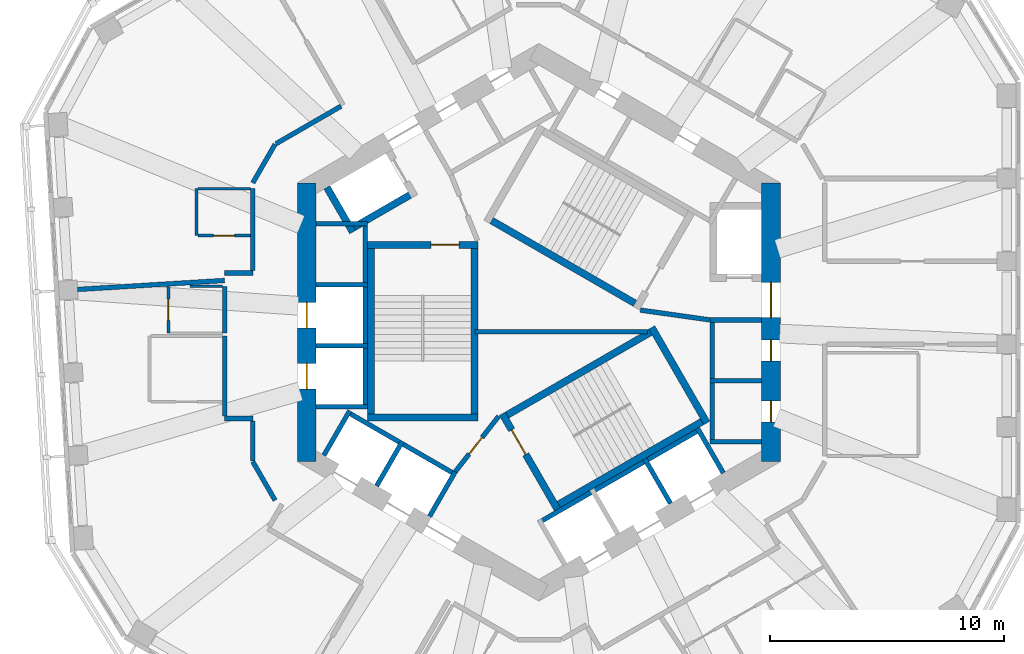
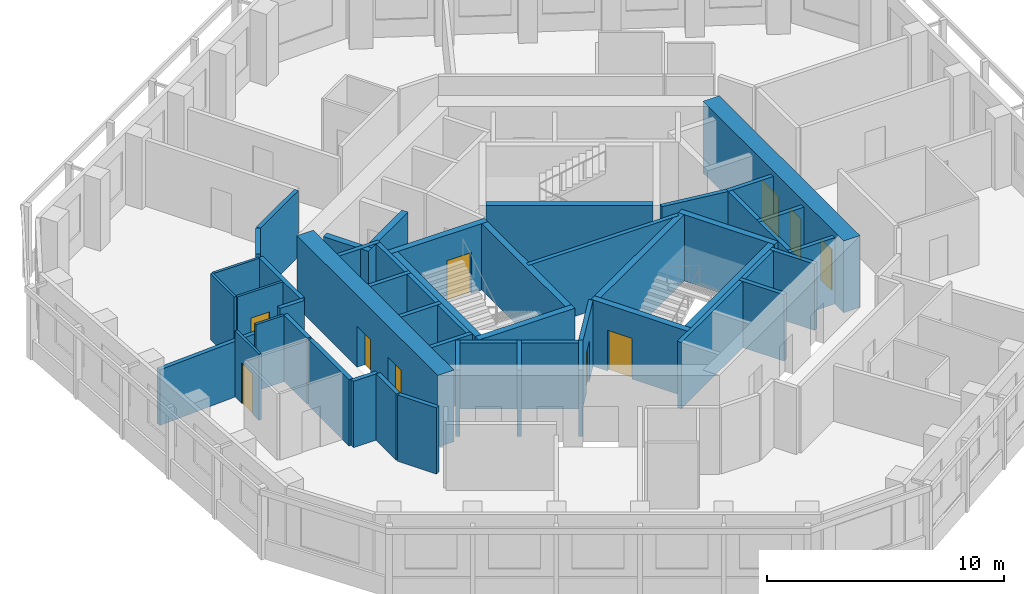
# One storey, part 5 of 11: 47 walls, 10 doors, 10 openings.
"""IFC4 building model written with IfcOpenShell, lengths in metres."""

from ifc_helpers import new_model, si_unit, direction, frame, frame_2d, origin, place, context, subcontext, project, spatial, rectangle, extrude, material, layer, layer_set, type_object, element, fill, save


model = new_model("IFC4")

# Units and contexts
model_context = context("Model", 3, precision=1e-05, world=origin(), true_north=direction((0.0, 1.0)))
body_context = subcontext(model_context, "Body", "Model", "MODEL_VIEW")
ifc_project = project(units=[si_unit("LENGTHUNIT", "METRE"), si_unit("AREAUNIT", "SQUARE_METRE"), si_unit("VOLUMEUNIT", "CUBIC_METRE"), si_unit("PLANEANGLEUNIT", "RADIAN"), si_unit("MASSUNIT", "GRAM", prefix="KILO")], contexts=[model_context])

# Site, building, storey
site_placement = place(None, origin())
site = spatial("IfcSite", under=ifc_project, at=site_placement, CompositionType="ELEMENT")
building_placement = place(site_placement, origin())
building = spatial("IfcBuilding", under=site, at=building_placement, Name="Vanh Sen Convention Tower", CompositionType="ELEMENT")
storey_placement = place(building_placement, frame((0.0, 0.0, 243.89990234375)))
storey = spatial("IfcBuildingStorey", under=building, at=storey_placement, Name="L60", CompositionType="ELEMENT", Elevation=243.89990234375)

# Wall, opening, door
ifc_material_1 = material(Name="Moisture-resistant gypsum board on steel studs", Category="steel")
ifc_layer_1 = layer(ifc_material_1, 0.1201171875)
ifc_layer_set_1 = layer_set([ifc_layer_1], Name="Moisture-resistant gypsum board on steel studs")
wall_type_1 = type_object("IfcWallType", Name="Bathroom partition 120", PredefinedType="PARTITIONING", material=ifc_layer_set_1)
wall_1_placement = place(storey_placement, frame((-15.801025390625, -0.466796875, 0.0), z_axis=(0.0, 0.0, 1.0), x_axis=(0.0, 1.0, 0.0)))
wall_1 = element("IfcWall", 1, at=wall_1_placement, inside=storey, type_object=wall_type_1, Name="Bathroom partition 120", PredefinedType="PARTITIONING", context=body_context, shape_type="SweptSolid", body=[
    extrude(rectangle(XDim=2.0, YDim=0.1201171875, at=frame_2d((1.0, 0.0))), origin(), (0.0, 0.0, 1.0), 3.420166015625),
])
opening_1_placement = place(wall_1_placement, frame((0.550048828125, 0.0, 0.0)))
opening_1 = element("IfcOpeningElement", 2, at=opening_1_placement, cuts=wall_1, Name="Opening D59110", PredefinedType="OPENING", context=body_context, shape_type="SweptSolid", body=[
    extrude(rectangle(XDim=0.89990234375, YDim=2.10009765625, at=frame_2d((0.449951171875, 1.050048828125))), frame((0.0, 0.070068359375, 0.0), z_axis=(0.0, -1.0, 0.0), x_axis=(1.0, 0.0, 0.0)), (0.0, 0.0, 1.0), 0.14013671875),
])
ifc_material_2 = material(Name="Laminate door in steel frame", Category="steel")
door_type_1 = type_object("IfcDoorType", Name="Room internal door 900", OperationType="SINGLE_SWING_LEFT", PredefinedType="DOOR", material=ifc_material_2)
door_1_placement = place(opening_1_placement, origin())
door_1 = element("IfcDoor", 3, at=door_1_placement, inside=storey, type_object=door_type_1, Name="Internal room door D59110", OperationType="SINGLE_SWING_LEFT", OverallHeight=2.10009765625, OverallWidth=0.89990234375, PredefinedType="DOOR", context=body_context, shape_type="SweptSolid", body=[
    extrude(rectangle(XDim=0.89990234375, YDim=2.10009765625, at=frame_2d((0.449951171875, 1.050048828125))), frame((0.0, 0.02490234375, 0.0), z_axis=(0.0, -1.0, 0.0), x_axis=(1.0, 0.0, 0.0)), (0.0, 0.0, 1.0), 0.050048828125),
])
fill(opening_1, door_1)

# Walls
wall_2_placement = place(storey_placement, frame((-14.869384765625, 1.533203125, 0.0), z_axis=(0.0, 0.0, 1.0), x_axis=(1.0, 0.0, 0.0)))
element("IfcWall", 4, at=wall_2_placement, inside=storey, type_object=wall_type_1, Name="Bathroom partition 120", PredefinedType="PARTITIONING", context=body_context, shape_type="SweptSolid", body=[
    extrude(rectangle(XDim=1.368408203125, YDim=0.1201171875, at=frame_2d((0.68408203125, 0.0))), origin(), (0.0, 0.0, 1.0), 3.420166015625),
])
wall_3_placement = place(storey_placement, frame((-14.60009765625, 3.69677734375, 0.0), z_axis=(0.0, 0.0, 1.0), x_axis=(0.0, 1.0, 0.0)))
element("IfcWall", 5, at=wall_3_placement, inside=storey, type_object=wall_type_1, Name="Bathroom partition 120", PredefinedType="PARTITIONING", context=body_context, shape_type="SweptSolid", body=[
    extrude(rectangle(XDim=2.0, YDim=0.1201171875, at=frame_2d((1.0, 0.0))), origin(), (0.0, 0.0, 1.0), 3.420166015625),
])
wall_4_placement = place(storey_placement, frame((-14.5400390625, 5.69677734375, 0.0), z_axis=(0.0, 0.0, 1.0), x_axis=(1.0, 0.0, 0.0)))
element("IfcWall", 6, at=wall_4_placement, inside=storey, type_object=wall_type_1, Name="Bathroom partition 120", PredefinedType="PARTITIONING", context=body_context, shape_type="SweptSolid", body=[
    extrude(rectangle(XDim=2.239990234375, YDim=0.1201171875, at=frame_2d((1.1201171875, 0.0))), origin(), (0.0, 0.0, 1.0), 3.420166015625),
])

# Wall, opening, door
wall_5_placement = place(storey_placement, frame((-12.300048828125, 3.69677734375, 0.0), z_axis=(0.0, 0.0, 1.0), x_axis=(-1.0, 0.0, 0.0)))
wall_5 = element("IfcWall", 7, at=wall_5_placement, inside=storey, type_object=wall_type_1, Name="Bathroom partition 120", PredefinedType="PARTITIONING", context=body_context, shape_type="SweptSolid", body=[
    extrude(rectangle(XDim=2.239990234375, YDim=0.1201171875, at=frame_2d((1.1201171875, 0.0))), origin(), (0.0, 0.0, 1.0), 3.420166015625),
])
opening_2_placement = place(wall_5_placement, frame((0.669921875, 0.0, 0.0)))
opening_2 = element("IfcOpeningElement", 8, at=opening_2_placement, cuts=wall_5, Name="Opening D59108", PredefinedType="OPENING", context=body_context, shape_type="SweptSolid", body=[
    extrude(rectangle(XDim=0.89990234375, YDim=2.10009765625, at=frame_2d((0.449951171875, 1.050048828125))), frame((0.0, 0.070068359375, 0.0), z_axis=(0.0, -1.0, 0.0), x_axis=(1.0, 0.0, 0.0)), (0.0, 0.0, 1.0), 0.14013671875),
])
door_2_placement = place(opening_2_placement, origin())
door_2 = element("IfcDoor", 9, at=door_2_placement, inside=storey, type_object=door_type_1, Name="Internal room door D59108", OperationType="SINGLE_SWING_LEFT", OverallHeight=2.10009765625, OverallWidth=0.89990234375, PredefinedType="DOOR", context=body_context, shape_type="SweptSolid", body=[
    extrude(rectangle(XDim=0.89990234375, YDim=2.10009765625, at=frame_2d((0.449951171875, 1.050048828125))), frame((0.0, 0.02490234375, 0.0), z_axis=(0.0, -1.0, 0.0), x_axis=(1.0, 0.0, 0.0)), (0.0, 0.0, 1.0), 0.050048828125),
])
fill(opening_2, door_2)

# Wall, openings, doors
ifc_material_3 = material(Name="Concrete C60/75", Category="concrete")
ifc_layer_2 = layer(ifc_material_3, 0.800048828125)
ifc_layer_set_2 = layer_set([ifc_layer_2], Name="Concrete C60/75")
wall_type_2 = type_object("IfcWallType", Name="Core outer wall 800 C60/75", PredefinedType="SHEAR", material=ifc_layer_set_2)
wall_6_placement = place(storey_placement, frame((9.89990234375, -5.94677734375, 0.0), z_axis=(0.0, 0.0, 1.0), x_axis=(0.0, 1.0, 0.0)))
wall_6 = element("IfcWall", 10, at=wall_6_placement, inside=storey, type_object=wall_type_2, Name="Core wall face E L60", PredefinedType="SHEAR", context=body_context, shape_type="SweptSolid", body=[
    extrude(rectangle(XDim=11.8935546875, YDim=0.800048828125, at=frame_2d((5.94677734375, 0.0))), origin(), (0.0, 0.0, 1.0), 3.7001953125),
])
opening_3_placement = place(wall_6_placement, frame((6.146728515625, 0.0, 0.0)))
opening_3 = element("IfcOpeningElement", 11, at=opening_3_placement, cuts=wall_6, Name="Opening D59001", PredefinedType="OPENING", context=body_context, shape_type="SweptSolid", body=[
    extrude(rectangle(XDim=1.5, YDim=2.10009765625, at=frame_2d((0.75, 1.050048828125))), frame((0.0, 0.409912109375, 0.0), z_axis=(0.0, -1.0, 0.0), x_axis=(1.0, 0.0, 0.0)), (0.0, 0.0, 1.0), 0.820068359375),
])
opening_4_placement = place(wall_6_placement, frame((1.69677734375, 0.0, 0.0)))
opening_4 = element("IfcOpeningElement", 12, at=opening_4_placement, cuts=wall_6, Name="Opening D59009", PredefinedType="OPENING", context=body_context, shape_type="SweptSolid", body=[
    extrude(rectangle(XDim=0.89990234375, YDim=2.10009765625, at=frame_2d((0.449951171875, 1.050048828125))), frame((0.0, 0.409912109375, 0.0), z_axis=(0.0, -1.0, 0.0), x_axis=(1.0, 0.0, 0.0)), (0.0, 0.0, 1.0), 0.820068359375),
])
opening_5_placement = place(wall_6_placement, frame((4.296630859375, 0.0, 0.0)))
opening_5 = element("IfcOpeningElement", 13, at=opening_5_placement, cuts=wall_6, Name="Opening D59010", PredefinedType="OPENING", context=body_context, shape_type="SweptSolid", body=[
    extrude(rectangle(XDim=0.89990234375, YDim=2.10009765625, at=frame_2d((0.449951171875, 1.050048828125))), frame((0.0, 0.409912109375, 0.0), z_axis=(0.0, -1.0, 0.0), x_axis=(1.0, 0.0, 0.0)), (0.0, 0.0, 1.0), 0.820068359375),
])
ifc_material_4 = material(Name="Steel S355", Category="steel")
door_type_2 = type_object("IfcDoorType", Name="Plant door 900", OperationType="SINGLE_SWING_LEFT", PredefinedType="DOOR", material=ifc_material_4)
door_3_placement = place(opening_4_placement, origin())
door_3 = element("IfcDoor", 14, at=door_3_placement, inside=storey, type_object=door_type_2, Name="Plant door D59009", OperationType="SINGLE_SWING_LEFT", OverallHeight=2.10009765625, OverallWidth=0.89990234375, PredefinedType="DOOR", context=body_context, shape_type="SweptSolid", body=[
    extrude(rectangle(XDim=0.89990234375, YDim=2.10009765625, at=frame_2d((0.449951171875, 1.050048828125))), frame((0.0, 0.02490234375, 0.0), z_axis=(0.0, -1.0, 0.0), x_axis=(1.0, 0.0, 0.0)), (0.0, 0.0, 1.0), 0.050048828125),
])
fill(opening_4, door_3)
door_4_placement = place(opening_5_placement, origin())
door_4 = element("IfcDoor", 15, at=door_4_placement, inside=storey, type_object=door_type_2, Name="Plant door D59010", OperationType="SINGLE_SWING_LEFT", OverallHeight=2.10009765625, OverallWidth=0.89990234375, PredefinedType="DOOR", context=body_context, shape_type="SweptSolid", body=[
    extrude(rectangle(XDim=0.89990234375, YDim=2.10009765625, at=frame_2d((0.449951171875, 1.050048828125))), frame((0.0, 0.02490234375, 0.0), z_axis=(0.0, -1.0, 0.0), x_axis=(1.0, 0.0, 0.0)), (0.0, 0.0, 1.0), 0.050048828125),
])
fill(opening_5, door_4)
door_type_3 = type_object("IfcDoorType", Name="Stair lobby door 1500", OperationType="DOUBLE_DOOR_SINGLE_SWING", PredefinedType="DOOR", material=ifc_material_4)
door_5_placement = place(opening_3_placement, origin())
door_5 = element("IfcDoor", 16, at=door_5_placement, inside=storey, type_object=door_type_3, Name="Stair lobby door D59001", OperationType="DOUBLE_DOOR_SINGLE_SWING", OverallHeight=2.10009765625, OverallWidth=1.5, PredefinedType="DOOR", context=body_context, shape_type="SweptSolid", body=[
    extrude(rectangle(XDim=1.5, YDim=2.10009765625, at=frame_2d((0.75, 1.050048828125))), frame((0.0, 0.02490234375, 0.0), z_axis=(0.0, -1.0, 0.0), x_axis=(1.0, 0.0, 0.0)), (0.0, 0.0, 1.0), 0.050048828125),
])
fill(opening_3, door_5)

wall_7_placement = place(storey_placement, frame((-9.89990234375, 5.94677734375, 0.0), z_axis=(0.0, 0.0, 1.0), x_axis=(0.0, -1.0, 0.0)))
wall_7 = element("IfcWall", 17, at=wall_7_placement, inside=storey, type_object=wall_type_2, Name="Core wall face W L60", PredefinedType="SHEAR", context=body_context, shape_type="SweptSolid", body=[
    extrude(rectangle(XDim=11.8935546875, YDim=0.800048828125, at=frame_2d((5.94677734375, 0.0))), origin(), (0.0, 0.0, 1.0), 3.7001953125),
])
opening_6_placement = place(wall_7_placement, frame((5.0966796875, 0.0, 0.0)))
opening_6 = element("IfcOpeningElement", 18, at=opening_6_placement, cuts=wall_7, Name="Opening LD-HR1", PredefinedType="OPENING", context=body_context, shape_type="SweptSolid", body=[
    extrude(rectangle(XDim=1.10009765625, YDim=2.10009765625, at=frame_2d((0.550048828125, 1.050048828125))), frame((0.0, 0.409912109375, 0.0), z_axis=(0.0, -1.0, 0.0), x_axis=(1.0, 0.0, 0.0)), (0.0, 0.0, 1.0), 0.820068359375),
])
opening_7_placement = place(wall_7_placement, frame((7.69677734375, 0.0, 0.0)))
opening_7 = element("IfcOpeningElement", 19, at=opening_7_placement, cuts=wall_7, Name="Opening LD-HR2", PredefinedType="OPENING", context=body_context, shape_type="SweptSolid", body=[
    extrude(rectangle(XDim=1.10009765625, YDim=2.10009765625, at=frame_2d((0.550048828125, 1.050048828125))), frame((0.0, 0.409912109375, 0.0), z_axis=(0.0, -1.0, 0.0), x_axis=(1.0, 0.0, 0.0)), (0.0, 0.0, 1.0), 0.820068359375),
])
ifc_material_5 = material(Name="Stainless steel", Category="steel")
door_type_4 = type_object("IfcDoorType", Name="Lift landing door 1100", OperationType="DOUBLE_DOOR_SLIDING", PredefinedType="DOOR", material=ifc_material_5)
door_6_placement = place(opening_6_placement, origin())
door_6 = element("IfcDoor", 20, at=door_6_placement, inside=storey, type_object=door_type_4, Name="Lift HR1 landing door LD-HR1", OperationType="DOUBLE_DOOR_SLIDING", OverallHeight=2.10009765625, OverallWidth=1.10009765625, PredefinedType="DOOR", context=body_context, shape_type="SweptSolid", body=[
    extrude(rectangle(XDim=1.10009765625, YDim=2.10009765625, at=frame_2d((0.550048828125, 1.050048828125))), frame((0.0, 0.02490234375, 0.0), z_axis=(0.0, -1.0, 0.0), x_axis=(1.0, 0.0, 0.0)), (0.0, 0.0, 1.0), 0.050048828125),
])
fill(opening_6, door_6)
door_7_placement = place(opening_7_placement, origin())
door_7 = element("IfcDoor", 21, at=door_7_placement, inside=storey, type_object=door_type_4, Name="Lift HR2 landing door LD-HR2", OperationType="DOUBLE_DOOR_SLIDING", OverallHeight=2.10009765625, OverallWidth=1.10009765625, PredefinedType="DOOR", context=body_context, shape_type="SweptSolid", body=[
    extrude(rectangle(XDim=1.10009765625, YDim=2.10009765625, at=frame_2d((0.550048828125, 1.050048828125))), frame((0.0, 0.02490234375, 0.0), z_axis=(0.0, -1.0, 0.0), x_axis=(1.0, 0.0, 0.0)), (0.0, 0.0, 1.0), 0.050048828125),
])
fill(opening_7, door_7)

# Walls
ifc_material_6 = material(Name="Masonry blockwork", Category="masonry")
ifc_layer_3 = layer(ifc_material_6, 0.199951171875)
ifc_layer_set_3 = layer_set([ifc_layer_3], Name="Masonry blockwork")
wall_type_3 = type_object("IfcWallType", Name="Core partition 200", PredefinedType="PARTITIONING", material=ifc_layer_set_3)
wall_8_placement = place(storey_placement, frame((-2.719970703125, -0.39990234375, 0.0), z_axis=(0.0, 0.0, 1.0), x_axis=(1.0, 0.0, 0.0)))
element("IfcWall", 22, at=wall_8_placement, inside=storey, type_object=wall_type_3, Name="Core partition L60", PredefinedType="PARTITIONING", context=body_context, shape_type="SweptSolid", body=[
    extrude(rectangle(XDim=7.34716796875, YDim=0.199951171875, at=frame_2d((3.673583984375, 0.0))), origin(), (0.0, 0.0, 1.0), 3.420166015625),
])
ifc_material_7 = material(Name="Gypsum board on steel studs with mineral wool", Category="steel")
ifc_layer_4 = layer(ifc_material_7, 0.199951171875)
ifc_layer_set_4 = layer_set([ifc_layer_4], Name="Gypsum board on steel studs with mineral wool")
wall_type_4 = type_object("IfcWallType", Name="Corridor partition wall 200", PredefinedType="PARTITIONING", material=ifc_layer_set_4)
wall_9_placement = place(storey_placement, frame((-13.40087890625, -4.10107421875, 0.0), z_axis=(0.0, 0.0, 1.0), x_axis=(1.0, 0.0, 0.0)))
element("IfcWall", 23, at=wall_9_placement, inside=storey, type_object=wall_type_4, Name="Corridor partition wall 200", PredefinedType="PARTITIONING", context=body_context, shape_type="SweptSolid", body=[
    extrude(rectangle(XDim=1.200927734375, YDim=0.199951171875, at=frame_2d((0.6005859375, 0.0))), origin(), (0.0, 0.0, 1.0), 3.420166015625),
])
wall_10_placement = place(storey_placement, frame((-13.40087890625, -0.586669921875, 0.0), z_axis=(0.0, 0.0, 1.0), x_axis=(0.0, -1.0, 0.0)))
element("IfcWall", 24, at=wall_10_placement, inside=storey, type_object=wall_type_4, Name="Corridor partition wall 200", PredefinedType="PARTITIONING", context=body_context, shape_type="SweptSolid", body=[
    extrude(rectangle(XDim=3.414306640625, YDim=0.199951171875, at=frame_2d((1.70703125, 0.0))), origin(), (0.0, 0.0, 1.0), 3.420166015625),
])
wall_11_placement = place(storey_placement, frame((-13.40087890625, 1.533203125, 0.0), z_axis=(0.0, 0.0, 1.0), x_axis=(0.0, -1.0, 0.0)))
element("IfcWall", 25, at=wall_11_placement, inside=storey, type_object=wall_type_4, Name="Corridor partition wall 200", PredefinedType="PARTITIONING", context=body_context, shape_type="SweptSolid", body=[
    extrude(rectangle(XDim=2.0, YDim=0.199951171875, at=frame_2d((1.0, 0.0))), origin(), (0.0, 0.0, 1.0), 3.420166015625),
])
wall_12_placement = place(storey_placement, frame((-12.199951171875, -5.94677734375, 0.0), z_axis=(0.0, 0.0, 1.0), x_axis=(0.500022797313, -0.86601224135, 0.0)))
element("IfcWall", 26, at=wall_12_placement, inside=storey, type_object=wall_type_4, Name="Corridor partition wall 200", PredefinedType="PARTITIONING", context=body_context, shape_type="SweptSolid", body=[
    extrude(rectangle(XDim=1.89990234375, YDim=0.199951171875, at=frame_2d((0.949951171875, 0.0))), origin(), (0.0, 0.0, 1.0), 3.420166015625),
])
wall_13_placement = place(storey_placement, frame((-12.199951171875, -4.200927734375, 0.0), z_axis=(0.0, 0.0, 1.0), x_axis=(0.0, -1.0, 0.0)))
element("IfcWall", 27, at=wall_13_placement, inside=storey, type_object=wall_type_4, Name="Corridor partition wall 200", PredefinedType="PARTITIONING", context=body_context, shape_type="SweptSolid", body=[
    extrude(rectangle(XDim=1.705810546875, YDim=0.199951171875, at=frame_2d((0.85302734375, 0.0))), origin(), (0.0, 0.0, 1.0), 3.420166015625),
])
wall_14_placement = place(storey_placement, frame((-12.199951171875, 2.10107421875, 0.0), z_axis=(0.0, 0.0, 1.0), x_axis=(-1.0, 0.0, 0.0)))
element("IfcWall", 28, at=wall_14_placement, inside=storey, type_object=wall_type_4, Name="Corridor partition wall 200", PredefinedType="PARTITIONING", context=body_context, shape_type="SweptSolid", body=[
    extrude(rectangle(XDim=1.200927734375, YDim=0.199951171875, at=frame_2d((0.6005859375, 0.0))), origin(), (0.0, 0.0, 1.0), 3.420166015625),
])
wall_15_placement = place(storey_placement, frame((-12.199951171875, 5.69677734375, 0.0), z_axis=(0.0, 0.0, 1.0), x_axis=(0.0, -1.0, 0.0)))
element("IfcWall", 29, at=wall_15_placement, inside=storey, type_object=wall_type_4, Name="Corridor partition wall 200", PredefinedType="PARTITIONING", context=body_context, shape_type="SweptSolid", body=[
    extrude(rectangle(XDim=3.495849609375, YDim=0.199951171875, at=frame_2d((1.748046875, 0.0))), origin(), (0.0, 0.0, 1.0), 3.420166015625),
])
wall_16_placement = place(storey_placement, frame((-11.25, 7.592041015625, 0.0), z_axis=(0.0, 0.0, 1.0), x_axis=(-0.500022797313, -0.86601224135, 0.0)))
element("IfcWall", 30, at=wall_16_placement, inside=storey, type_object=wall_type_4, Name="Corridor partition wall 200", PredefinedType="PARTITIONING", context=body_context, shape_type="SweptSolid", body=[
    extrude(rectangle(XDim=1.89990234375, YDim=0.199951171875, at=frame_2d((0.949951171875, 0.0))), origin(), (0.0, 0.0, 1.0), 3.420166015625),
])
wall_17_placement = place(storey_placement, frame((-8.4365234375, 9.216552734375, 0.0), z_axis=(0.0, 0.0, 1.0), x_axis=(-0.866005660673, -0.500034194513, 0.0)))
element("IfcWall", 31, at=wall_17_placement, inside=storey, type_object=wall_type_4, Name="Corridor partition wall 200", PredefinedType="PARTITIONING", context=body_context, shape_type="SweptSolid", body=[
    extrude(rectangle(XDim=3.208740234375, YDim=0.199951171875, at=frame_2d((1.6044921875, 0.0))), origin(), (0.0, 0.0, 1.0), 3.420166015625),
])
ifc_layer_5 = layer(ifc_material_3, 0.300048828125)
ifc_layer_set_5 = layer_set([ifc_layer_5], Name="Concrete C60/75")
wall_type_5 = type_object("IfcWallType", Name="Fire-fighting lift shaft wall 300", PredefinedType="SHEAR", material=ifc_layer_set_5)
wall_18_placement = place(storey_placement, frame((-5.240478515625, 5.576904296875, 0.0), z_axis=(0.0, 0.0, 1.0), x_axis=(-0.866014461049, -0.500018952895, 0.0)))
element("IfcWall", 32, at=wall_18_placement, inside=storey, type_object=wall_type_5, Name="Fire-fighting lift shaft wall L60", PredefinedType="SHEAR", context=body_context, shape_type="SweptSolid", body=[
    extrude(rectangle(XDim=3.349853515625, YDim=0.300048828125, at=frame_2d((1.6748046875, 0.0))), origin(), (0.0, 0.0, 1.0), 3.420166015625),
])
wall_19_placement = place(storey_placement, frame((-7.936767578125, 3.846923828125, 0.0), z_axis=(0.0, 0.0, 1.0), x_axis=(-0.50002983664, 0.866008176907, 0.0)))
element("IfcWall", 33, at=wall_19_placement, inside=storey, type_object=wall_type_5, Name="Fire-fighting lift shaft wall L60", PredefinedType="SHEAR", context=body_context, shape_type="SweptSolid", body=[
    extrude(rectangle(XDim=2.199951171875, YDim=0.300048828125, at=frame_2d((1.10009765625, 0.0))), origin(), (0.0, 0.0, 1.0), 3.420166015625),
])
ifc_material_8 = material(Name="Concrete C40/50", Category="concrete")
ifc_layer_6 = layer(ifc_material_8, 0.199951171875)
ifc_layer_set_6 = layer_set([ifc_layer_6], Name="Concrete C40/50")
wall_type_6 = type_object("IfcWallType", Name="Lift shaft wall 200", PredefinedType="PARTITIONING", material=ifc_layer_set_6)
wall_20_placement = place(storey_placement, frame((7.39990234375, -5.199951171875, 0.0), z_axis=(0.0, 0.0, 1.0), x_axis=(0.0, 1.0, 0.0)))
element("IfcWall", 34, at=wall_20_placement, inside=storey, type_object=wall_type_6, Name="Lift shaft wall L60", PredefinedType="PARTITIONING", context=body_context, shape_type="SweptSolid", body=[
    extrude(rectangle(XDim=5.39990234375, YDim=0.199951171875, at=frame_2d((2.699951171875, 0.0))), origin(), (0.0, 0.0, 1.0), 3.420166015625),
])
for number, where, z_axis, x_axis, name in (
    (35, (7.300048828125, -5.10009765625, 0.0), (0.0, 0.0, 1.0), (1.0, 0.0, 0.0), "Lift shaft wall L60"),
    (36, (7.300048828125, -2.5, 0.0), (0.0, 0.0, 1.0), (1.0, 0.0, 0.0), "Lift shaft wall L60"),
    (37, (7.300048828125, 0.10009765625, 0.0), (0.0, 0.0, 1.0), (1.0, 0.0, 0.0), "Lift shaft wall L60"),
):
    element("IfcWall", number, at=place(storey_placement, frame(where, z_axis=z_axis, x_axis=x_axis)), inside=storey, type_object=wall_type_6, Name=name, PredefinedType="PARTITIONING", context=body_context, shape_type="SweptSolid", body=[
        extrude(rectangle(XDim=2.199951171875, YDim=0.199951171875, at=frame_2d((1.10009765625, 0.0))), origin(), (0.0, 0.0, 1.0), 3.420166015625),
    ])
wall_21_placement = place(storey_placement, frame((-7.39990234375, 4.300048828125, 0.0), z_axis=(0.0, 0.0, 1.0), x_axis=(0.0, -1.0, 0.0)))
element("IfcWall", 38, at=wall_21_placement, inside=storey, type_object=wall_type_6, Name="Lift shaft wall L60", PredefinedType="PARTITIONING", context=body_context, shape_type="SweptSolid", body=[
    extrude(rectangle(XDim=8.0, YDim=0.199951171875, at=frame_2d((4.0, 0.0))), origin(), (0.0, 0.0, 1.0), 3.420166015625),
])
for number, where, z_axis, x_axis, name in (
    (39, (-7.300048828125, 4.199951171875, 0.0), (0.0, 0.0, 1.0), (-1.0, 0.0, 0.0), "Lift shaft wall L60"),
    (40, (-7.300048828125, 1.60009765625, 0.0), (0.0, 0.0, 1.0), (-1.0, 0.0, 0.0), "Lift shaft wall L60"),
    (41, (-7.300048828125, -1.0, 0.0), (0.0, 0.0, 1.0), (-1.0, 0.0, 0.0), "Lift shaft wall L60"),
    (42, (-7.300048828125, -3.60009765625, 0.0), (0.0, 0.0, 1.0), (-1.0, 0.0, 0.0), "Lift shaft wall L60"),
):
    element("IfcWall", number, at=place(storey_placement, frame(where, z_axis=z_axis, x_axis=x_axis)), inside=storey, type_object=wall_type_6, Name=name, PredefinedType="PARTITIONING", context=body_context, shape_type="SweptSolid", body=[
        extrude(rectangle(XDim=2.199951171875, YDim=0.199951171875, at=frame_2d((1.10009765625, 0.0))), origin(), (0.0, 0.0, 1.0), 3.420166015625),
    ])
wall_22_placement = place(storey_placement, frame((-8.203369140625, -3.80859375, 0.0), z_axis=(0.0, 0.0, 1.0), x_axis=(0.866028230842, -0.499995103361, 0.0)))
element("IfcWall", 43, at=wall_22_placement, inside=storey, type_object=wall_type_6, Name="Lift shaft wall L60", PredefinedType="PARTITIONING", context=body_context, shape_type="SweptSolid", body=[
    extrude(rectangle(XDim=5.39990234375, YDim=0.199951171875, at=frame_2d((2.699951171875, 0.0))), origin(), (0.0, 0.0, 1.0), 3.420166015625),
])
for number, where, z_axis, x_axis, name in (
    (44, (-8.066650390625, -3.77197265625, 0.0), (0.0, 0.0, 1.0), (-0.50002983664, -0.866008176907, 0.0), "Lift shaft wall L60"),
    (45, (-5.815185546875, -5.072021484375, 0.0), (0.0, 0.0, 1.0), (-0.499946605688, -0.86605622881, 0.0), "Lift shaft wall L60"),
):
    element("IfcWall", number, at=place(storey_placement, frame(where, z_axis=z_axis, x_axis=x_axis)), inside=storey, type_object=wall_type_6, Name=name, PredefinedType="PARTITIONING", context=body_context, shape_type="SweptSolid", body=[
        extrude(rectangle(XDim=2.199951171875, YDim=0.199951171875, at=frame_2d((1.10009765625, 0.0))), origin(), (0.0, 0.0, 1.0), 3.420166015625),
    ])
wall_23_placement = place(storey_placement, frame((-3.5634765625, -6.3720703125, 0.0), z_axis=(0.0, 0.0, 1.0), x_axis=(-0.499994660107, -0.866028486751, 0.0)))
element("IfcWall", 46, at=wall_23_placement, inside=storey, type_object=wall_type_6, Name="Lift shaft wall L60", PredefinedType="PARTITIONING", context=body_context, shape_type="SweptSolid", body=[
    extrude(rectangle(XDim=2.19970703125, YDim=0.199951171875, at=frame_2d((1.099853515625, 0.0))), origin(), (0.0, 0.0, 1.0), 3.420166015625),
])
wall_24_placement = place(storey_placement, frame((-0.02392578125, -8.55859375, 0.0), z_axis=(0.0, 0.0, 1.0), x_axis=(0.866026010844, 0.49999894854, 0.0)))
element("IfcWall", 47, at=wall_24_placement, inside=storey, type_object=wall_type_6, Name="Lift shaft wall L60", PredefinedType="PARTITIONING", context=body_context, shape_type="SweptSolid", body=[
    extrude(rectangle(XDim=8.0, YDim=0.199951171875, at=frame_2d((4.0, 0.0))), origin(), (0.0, 0.0, 1.0), 3.420166015625),
])
for number, where, z_axis, x_axis, name in (
    (48, (4.51611328125, -5.822021484375, 0.0), (0.0, 0.0, 1.0), (0.499946605688, -0.86605622881, 0.0), "Lift shaft wall L60"),
    (49, (6.767578125, -4.52197265625, 0.0), (0.0, 0.0, 1.0), (0.50002983664, -0.866008176907, 0.0), "Lift shaft wall L60"),
):
    element("IfcWall", number, at=place(storey_placement, frame(where, z_axis=z_axis, x_axis=x_axis)), inside=storey, type_object=wall_type_6, Name=name, PredefinedType="PARTITIONING", context=body_context, shape_type="SweptSolid", body=[
        extrude(rectangle(XDim=2.199951171875, YDim=0.199951171875, at=frame_2d((1.10009765625, 0.0))), origin(), (0.0, 0.0, 1.0), 3.420166015625),
    ])
ifc_layer_7 = layer(ifc_material_8, 0.199951171875)
ifc_layer_set_7 = layer_set([ifc_layer_7], Name="Concrete C40/50")
wall_type_7 = type_object("IfcWallType", Name="Stair lobby wall 200", PredefinedType="PARTITIONING", material=ifc_layer_set_7)
wall_25_placement = place(storey_placement, frame((4.327392578125, 0.52099609375, 0.0), z_axis=(0.0, 0.0, 1.0), x_axis=(0.990124376366, -0.14019172346, 0.0)))
element("IfcWall", 50, at=wall_25_placement, inside=storey, type_object=wall_type_7, Name="Stair lobby wall L60", PredefinedType="PARTITIONING", context=body_context, shape_type="SweptSolid", body=[
    extrude(rectangle(XDim=3.002197265625, YDim=0.199951171875, at=frame_2d((1.5009765625, 0.0))), origin(), (0.0, 0.0, 1.0), 3.420166015625),
])

# Wall, opening, door
wall_26_placement = place(storey_placement, frame((-1.71240234375, -4.00830078125, 0.0), z_axis=(0.0, 0.0, 1.0), x_axis=(-0.616549420702, -0.787316208287, 0.0)))
wall_26 = element("IfcWall", 51, at=wall_26_placement, inside=storey, type_object=wall_type_7, Name="Stair lobby wall L60", PredefinedType="PARTITIONING", context=body_context, shape_type="SweptSolid", body=[
    extrude(rectangle(XDim=3.002197265625, YDim=0.199951171875, at=frame_2d((1.5009765625, 0.0))), origin(), (0.0, 0.0, 1.0), 3.420166015625),
])
opening_8_placement = place(wall_26_placement, frame((1.14990234375, 0.0, 0.0)))
opening_8 = element("IfcOpeningElement", 52, at=opening_8_placement, cuts=wall_26, Name="Opening D59008", PredefinedType="OPENING", context=body_context, shape_type="SweptSolid", body=[
    extrude(rectangle(XDim=0.89990234375, YDim=2.10009765625, at=frame_2d((0.449951171875, 1.050048828125))), frame((0.0, 0.10986328125, 0.0), z_axis=(0.0, -1.0, 0.0), x_axis=(1.0, 0.0, 0.0)), (0.0, 0.0, 1.0), 0.219970703125),
])
door_8_placement = place(opening_8_placement, origin())
door_8 = element("IfcDoor", 53, at=door_8_placement, inside=storey, type_object=door_type_2, Name="Plant door D59008", OperationType="SINGLE_SWING_LEFT", OverallHeight=2.10009765625, OverallWidth=0.89990234375, PredefinedType="DOOR", context=body_context, shape_type="SweptSolid", body=[
    extrude(rectangle(XDim=0.89990234375, YDim=2.10009765625, at=frame_2d((0.449951171875, 1.050048828125))), frame((0.0, 0.02490234375, 0.0), z_axis=(0.0, -1.0, 0.0), x_axis=(1.0, 0.0, 0.0)), (0.0, 0.0, 1.0), 0.050048828125),
])
fill(opening_8, door_8)

# Wall
ifc_layer_8 = layer(ifc_material_3, 0.300048828125)
ifc_layer_set_8 = layer_set([ifc_layer_8], Name="Concrete C60/75")
wall_type_8 = type_object("IfcWallType", Name="Stair wall 300", PredefinedType="SHEAR", material=ifc_layer_set_8)
wall_27_placement = place(storey_placement, frame((4.10302734375, 0.806640625, 0.0), z_axis=(0.0, 0.0, 1.0), x_axis=(-0.866027801685, 0.499995846692, 0.0)))
element("IfcWall", 54, at=wall_27_placement, inside=storey, type_object=wall_type_8, Name="Stair wall L60", PredefinedType="SHEAR", context=body_context, shape_type="SweptSolid", body=[
    extrude(rectangle(XDim=7.06005859375, YDim=0.300048828125, at=frame_2d((3.530029296875, 0.0))), origin(), (0.0, 0.0, 1.0), 3.420166015625),
])

# Wall, opening, door
wall_28_placement = place(storey_placement, frame((-2.60009765625, 3.300048828125, 0.0), z_axis=(0.0, 0.0, 1.0), x_axis=(-1.0, 0.0, 0.0)))
wall_28 = element("IfcWall", 55, at=wall_28_placement, inside=storey, type_object=wall_type_8, Name="Stair wall L60", PredefinedType="SHEAR", context=body_context, shape_type="SweptSolid", body=[
    extrude(rectangle(XDim=4.699951171875, YDim=0.300048828125, at=frame_2d((2.35009765625, 0.0))), origin(), (0.0, 0.0, 1.0), 3.420166015625),
])
opening_9_placement = place(wall_28_placement, frame((0.800048828125, 0.0, 0.0)))
opening_9 = element("IfcOpeningElement", 56, at=opening_9_placement, cuts=wall_28, Name="Opening D59005", PredefinedType="OPENING", context=body_context, shape_type="SweptSolid", body=[
    extrude(rectangle(XDim=1.199951171875, YDim=2.10009765625, at=frame_2d((0.60009765625, 1.050048828125))), frame((0.0, 0.159912109375, 0.0), z_axis=(0.0, -1.0, 0.0), x_axis=(1.0, 0.0, 0.0)), (0.0, 0.0, 1.0), 0.320068359375),
])
door_type_5 = type_object("IfcDoorType", Name="Stair door 1200", OperationType="SINGLE_SWING_RIGHT", PredefinedType="DOOR", material=ifc_material_4)
door_9_placement = place(opening_9_placement, origin())
door_9 = element("IfcDoor", 57, at=door_9_placement, inside=storey, type_object=door_type_5, Name="Stair ST2 door D59005", OperationType="SINGLE_SWING_RIGHT", OverallHeight=2.10009765625, OverallWidth=1.199951171875, PredefinedType="DOOR", context=body_context, shape_type="SweptSolid", body=[
    extrude(rectangle(XDim=1.199951171875, YDim=2.10009765625, at=frame_2d((0.60009765625, 1.050048828125))), frame((0.0, 0.02490234375, 0.0), z_axis=(0.0, -1.0, 0.0), x_axis=(1.0, 0.0, 0.0)), (0.0, 0.0, 1.0), 0.050048828125),
])
fill(opening_9, door_9)

# Walls
wall_29_placement = place(storey_placement, frame((-2.60009765625, -4.06005859375, 0.0), z_axis=(0.0, 0.0, 1.0), x_axis=(-1.0, 0.0, 0.0)))
element("IfcWall", 58, at=wall_29_placement, inside=storey, type_object=wall_type_8, Name="Stair wall L60", PredefinedType="SHEAR", context=body_context, shape_type="SweptSolid", body=[
    extrude(rectangle(XDim=4.699951171875, YDim=0.300048828125, at=frame_2d((2.35009765625, 0.0))), origin(), (0.0, 0.0, 1.0), 3.420166015625),
])
for number, where, z_axis, x_axis, name in (
    (59, (-2.75, 3.14990234375, 0.0), (0.0, 0.0, 1.0), (0.0, -1.0, 0.0), "Stair wall L60"),
    (60, (-7.14990234375, 3.14990234375, 0.0), (0.0, 0.0, 1.0), (0.0, -1.0, 0.0), "Stair wall L60"),
):
    element("IfcWall", number, at=place(storey_placement, frame(where, z_axis=z_axis, x_axis=x_axis)), inside=storey, type_object=wall_type_8, Name=name, PredefinedType="SHEAR", context=body_context, shape_type="SweptSolid", body=[
        extrude(rectangle(XDim=7.059814453125, YDim=0.300048828125, at=frame_2d((3.52978515625, 0.0))), origin(), (0.0, 0.0, 1.0), 3.420166015625),
    ])

# Wall, opening, door
wall_30_placement = place(storey_placement, frame((-1.557861328125, -3.901611328125, 0.0), z_axis=(0.0, 0.0, 1.0), x_axis=(0.499977259774, -0.866038532462, 0.0)))
wall_30 = element("IfcWall", 61, at=wall_30_placement, inside=storey, type_object=wall_type_8, Name="Stair wall L60", PredefinedType="SHEAR", context=body_context, shape_type="SweptSolid", body=[
    extrude(rectangle(XDim=4.699951171875, YDim=0.300048828125, at=frame_2d((2.35009765625, 0.0))), origin(), (0.0, 0.0, 1.0), 3.420166015625),
])
opening_10_placement = place(wall_30_placement, frame((0.800048828125, 0.0, 0.0)))
opening_10 = element("IfcOpeningElement", 62, at=opening_10_placement, cuts=wall_30, Name="Opening D59006", PredefinedType="OPENING", context=body_context, shape_type="SweptSolid", body=[
    extrude(rectangle(XDim=1.199951171875, YDim=2.10009765625, at=frame_2d((0.60009765625, 1.050048828125))), frame((0.0, 0.159912109375, 0.0), z_axis=(0.0, -1.0, 0.0), x_axis=(1.0, 0.0, 0.0)), (0.0, 0.0, 1.0), 0.320068359375),
])
door_10_placement = place(opening_10_placement, origin())
door_10 = element("IfcDoor", 63, at=door_10_placement, inside=storey, type_object=door_type_5, Name="Stair ST3 door D59006", OperationType="SINGLE_SWING_RIGHT", OverallHeight=2.10009765625, OverallWidth=1.199951171875, PredefinedType="DOOR", context=body_context, shape_type="SweptSolid", body=[
    extrude(rectangle(XDim=1.199951171875, YDim=2.10009765625, at=frame_2d((0.60009765625, 1.050048828125))), frame((0.0, 0.02490234375, 0.0), z_axis=(0.0, -1.0, 0.0), x_axis=(1.0, 0.0, 0.0)), (0.0, 0.0, 1.0), 0.050048828125),
])
fill(opening_10, door_10)

# Walls
wall_31_placement = place(storey_placement, frame((4.816162109375, -0.2216796875, 0.0), z_axis=(0.0, 0.0, 1.0), x_axis=(0.499977259774, -0.866038532462, 0.0)))
element("IfcWall", 64, at=wall_31_placement, inside=storey, type_object=wall_type_8, Name="Stair wall L60", PredefinedType="SHEAR", context=body_context, shape_type="SweptSolid", body=[
    extrude(rectangle(XDim=4.699951171875, YDim=0.300048828125, at=frame_2d((2.35009765625, 0.0))), origin(), (0.0, 0.0, 1.0), 3.420166015625),
])
for number, where, z_axis, x_axis, name in (
    (65, (-1.35302734375, -3.95654296875, 0.0), (0.0, 0.0, 1.0), (0.866027801685, 0.499995846692, 0.0), "Stair wall L60"),
    (66, (0.846923828125, -7.76708984375, 0.0), (0.0, 0.0, 1.0), (0.866027801685, 0.499995846692, 0.0), "Stair wall L60"),
):
    element("IfcWall", number, at=place(storey_placement, frame(where, z_axis=z_axis, x_axis=x_axis)), inside=storey, type_object=wall_type_8, Name=name, PredefinedType="SHEAR", context=body_context, shape_type="SweptSolid", body=[
        extrude(rectangle(XDim=7.06005859375, YDim=0.300048828125, at=frame_2d((3.530029296875, 0.0))), origin(), (0.0, 0.0, 1.0), 3.420166015625),
    ])
ifc_layer_9 = layer(ifc_material_7, 0.199951171875)
ifc_layer_set_9 = layer_set([ifc_layer_9], Name="Gypsum board on steel studs with mineral wool")
wall_type_9 = type_object("IfcWallType", Name="Tenant suite wall 200", PredefinedType="PARTITIONING", material=ifc_layer_set_9)
wall_32_placement = place(storey_placement, frame((-19.672119140625, 1.399658203125, 0.0), z_axis=(0.0, 0.0, 1.0), x_axis=(0.99813499784, 0.061045278997, 0.0)))
element("IfcWall", 67, at=wall_32_placement, inside=storey, type_object=wall_type_9, Name="Tenant suite wall 200", PredefinedType="PARTITIONING", context=body_context, shape_type="SweptSolid", body=[
    extrude(rectangle(XDim=6.282958984375, YDim=0.199951171875, at=frame_2d((3.1416015625, 0.0))), origin(), (0.0, 0.0, 1.0), 2.8701171875),
])

save(model, "model.ifc")
